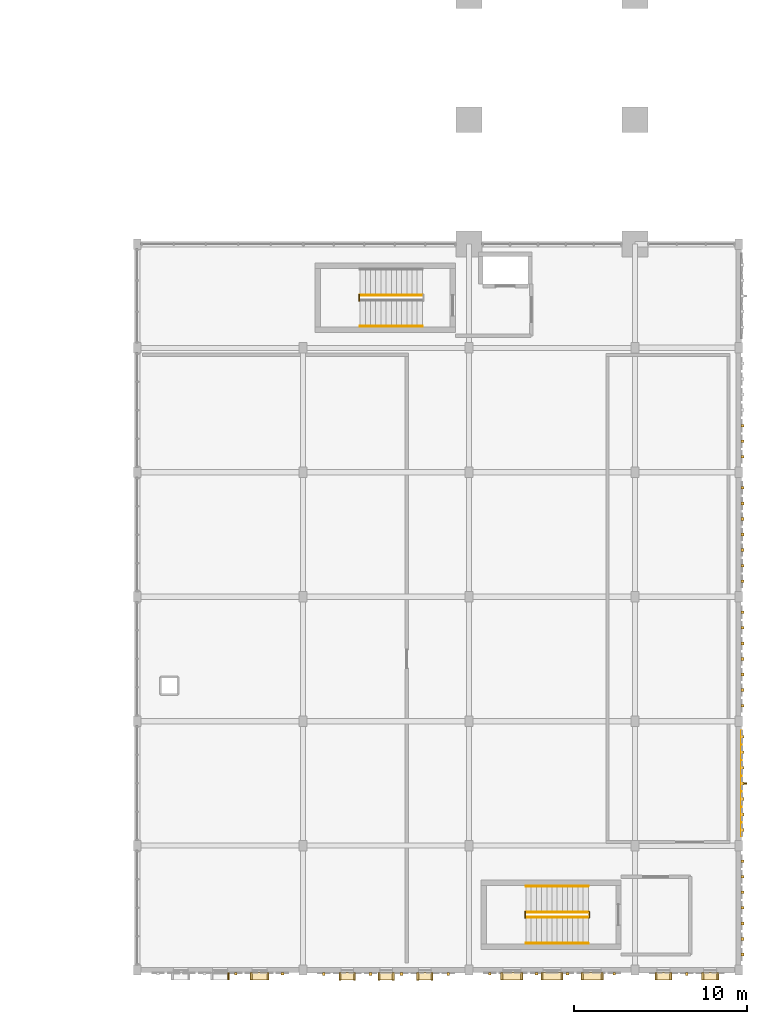
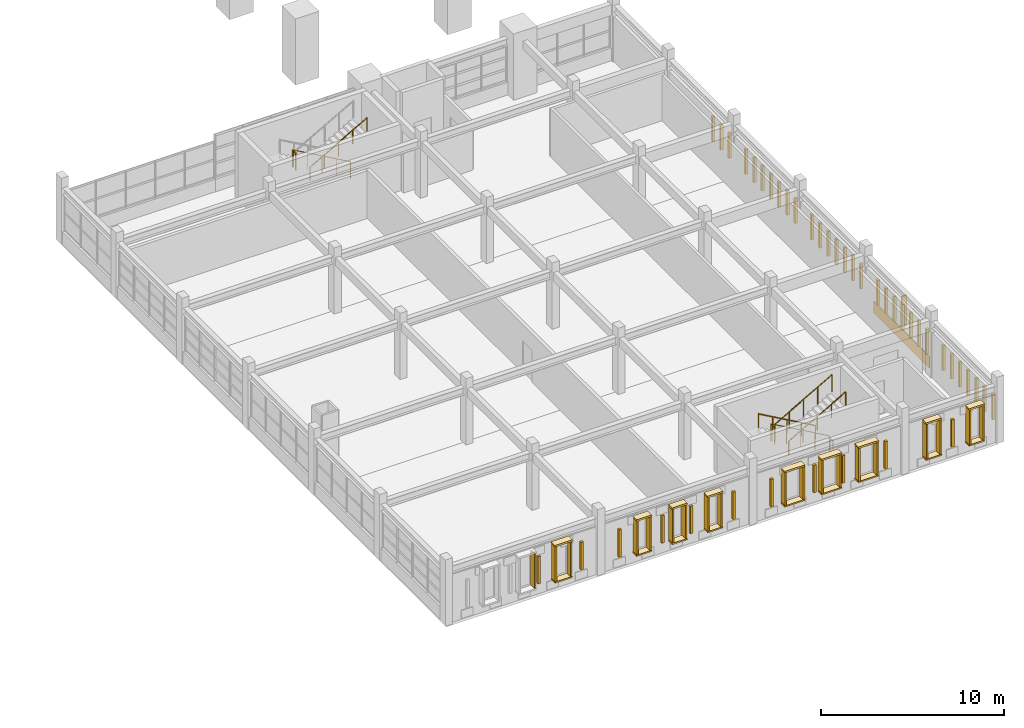
# One storey, part 61 of 69: 80 coverings, 9 railings, 1 shading device.
"""IFC4 building model written with IfcOpenShell, lengths in metres."""

from ifc_helpers import new_model, si_unit, direction, frame, origin, origin_2d, place, context, subcontext, project, spatial, rectangle, circle, extrude, material, layer, layer_set, type_object, element, save


model = new_model("IFC4")

# Units and contexts
model_context = context("Model", 3, precision=1e-05, world=origin(), true_north=direction((0.0, 1.0)))
body_context = subcontext(model_context, "Body", "Model", "MODEL_VIEW")
ifc_project = project(units=[si_unit("LENGTHUNIT", "METRE"), si_unit("AREAUNIT", "SQUARE_METRE"), si_unit("VOLUMEUNIT", "CUBIC_METRE"), si_unit("PLANEANGLEUNIT", "RADIAN"), si_unit("MASSUNIT", "GRAM", prefix="KILO")], contexts=[model_context])

# Site, building, storey
site_placement = place(None, origin())
site = spatial("IfcSite", under=ifc_project, at=site_placement, CompositionType="ELEMENT")
building_placement = place(site_placement, origin())
building = spatial("IfcBuilding", under=site, at=building_placement, Name="Nzembalo Square Collegiate School", CompositionType="ELEMENT")
storey_placement = place(building_placement, frame((0.0, 0.0, 5.10009765625)))
storey = spatial("IfcBuildingStorey", under=building, at=storey_placement, Name="L01", CompositionType="ELEMENT", Elevation=5.10009765625)

# Coverings
ifc_material_1 = material(Name="Glazed cobalt ceramic patterned tile")
ifc_layer_1 = layer(ifc_material_1, 0.074951171875, Name="Glazed cobalt ceramic patterned tile")
ifc_layer_set_1 = layer_set([ifc_layer_1], Name="Glazed cobalt ceramic patterned tile")
covering_type_1 = type_object("IfcCoveringType", Name="CL01", PredefinedType="CLADDING", material=ifc_layer_set_1)
covering_1_placement = place(storey_placement, frame((165.77490234375, 19.199951171875, 0.02001953125), z_axis=(0.0, 0.0, 1.0), x_axis=(1.0, 0.0, 0.0)))
element("IfcCovering", 1, at=covering_1_placement, inside=storey, type_object=covering_type_1, Name="Faience spandrel cladding CL01-0100", PredefinedType="CLADDING", context=body_context, shape_type="SweptSolid", body=[
    extrude(rectangle(XDim=0.034912109375, YDim=6.095947265625, at=origin_2d()), origin(), (0.0, 0.0, 1.0), 0.800048828125),
])
ifc_material_2 = material(Name="Glazed ochre ceramic lancet rib")
ifc_layer_2 = layer(ifc_material_2, 0.159912109375, Name="Glazed ochre ceramic lancet rib")
ifc_layer_set_2 = layer_set([ifc_layer_2], Name="Glazed ochre ceramic lancet rib")
covering_type_2 = type_object("IfcCoveringType", Name="CL02", PredefinedType="CLADDING", material=ifc_layer_set_2)
for number, where, z_axis, x_axis, name in (
    (2, (165.820068359375, 9.300048828125, 0.759765625), (0.0, 0.0, 1.0), (1.0, 0.0, 0.0), "Gothic ceramic rib CL02-Y0099-0"),
    (3, (165.820068359375, 10.199951171875, 0.759765625), (0.0, 0.0, 1.0), (1.0, 0.0, 0.0), "Gothic ceramic rib CL02-Y0099-1"),
    (4, (165.820068359375, 11.10009765625, 0.759765625), (0.0, 0.0, 1.0), (1.0, 0.0, 0.0), "Gothic ceramic rib CL02-Y0099-2"),
    (5, (165.820068359375, 12.0, 0.759765625), (0.0, 0.0, 1.0), (1.0, 0.0, 0.0), "Gothic ceramic rib CL02-Y0099-3"),
    (6, (165.820068359375, 12.89990234375, 0.759765625), (0.0, 0.0, 1.0), (1.0, 0.0, 0.0), "Gothic ceramic rib CL02-Y0099-4"),
    (7, (165.820068359375, 13.800048828125, 0.759765625), (0.0, 0.0, 1.0), (1.0, 0.0, 0.0), "Gothic ceramic rib CL02-Y0099-5"),
    (8, (165.820068359375, 14.699951171875, 0.759765625), (0.0, 0.0, 1.0), (1.0, 0.0, 0.0), "Gothic ceramic rib CL02-Y0099-6"),
    (9, (165.830078125, 16.5, 0.759765625), (0.0, 0.0, 1.0), (1.0, 0.0, 0.0), "Gothic ceramic rib CL02-Y0100-0"),
    (10, (165.830078125, 17.39990234375, 0.759765625), (0.0, 0.0, 1.0), (1.0, 0.0, 0.0), "Gothic ceramic rib CL02-Y0100-1"),
    (11, (165.830078125, 18.300048828125, 0.759765625), (0.0, 0.0, 1.0), (1.0, 0.0, 0.0), "Gothic ceramic rib CL02-Y0100-2"),
    (12, (165.830078125, 19.199951171875, 0.759765625), (0.0, 0.0, 1.0), (1.0, 0.0, 0.0), "Gothic ceramic rib CL02-Y0100-3"),
    (13, (165.830078125, 20.10009765625, 0.759765625), (0.0, 0.0, 1.0), (1.0, 0.0, 0.0), "Gothic ceramic rib CL02-Y0100-4"),
    (14, (165.830078125, 21.0, 0.759765625), (0.0, 0.0, 1.0), (1.0, 0.0, 0.0), "Gothic ceramic rib CL02-Y0100-5"),
    (15, (165.830078125, 21.89990234375, 0.759765625), (0.0, 0.0, 1.0), (1.0, 0.0, 0.0), "Gothic ceramic rib CL02-Y0100-6"),
    (16, (165.820068359375, 23.699951171875, 0.759765625), (0.0, 0.0, 1.0), (1.0, 0.0, 0.0), "Gothic ceramic rib CL02-Y0101-0"),
    (17, (165.820068359375, 24.60009765625, 0.759765625), (0.0, 0.0, 1.0), (1.0, 0.0, 0.0), "Gothic ceramic rib CL02-Y0101-1"),
    (18, (165.820068359375, 25.5, 0.759765625), (0.0, 0.0, 1.0), (1.0, 0.0, 0.0), "Gothic ceramic rib CL02-Y0101-2"),
    (19, (165.820068359375, 26.39990234375, 0.759765625), (0.0, 0.0, 1.0), (1.0, 0.0, 0.0), "Gothic ceramic rib CL02-Y0101-3"),
    (20, (165.820068359375, 27.300048828125, 0.759765625), (0.0, 0.0, 1.0), (1.0, 0.0, 0.0), "Gothic ceramic rib CL02-Y0101-4"),
    (21, (165.820068359375, 28.199951171875, 0.759765625), (0.0, 0.0, 1.0), (1.0, 0.0, 0.0), "Gothic ceramic rib CL02-Y0101-5"),
    (22, (165.820068359375, 29.10009765625, 0.759765625), (0.0, 0.0, 1.0), (1.0, 0.0, 0.0), "Gothic ceramic rib CL02-Y0101-6"),
    (23, (165.830078125, 30.89990234375, 0.759765625), (0.0, 0.0, 1.0), (1.0, 0.0, 0.0), "Gothic ceramic rib CL02-Y0102-0"),
    (24, (165.830078125, 31.800048828125, 0.759765625), (0.0, 0.0, 1.0), (1.0, 0.0, 0.0), "Gothic ceramic rib CL02-Y0102-1"),
    (25, (165.830078125, 32.699951171875, 0.759765625), (0.0, 0.0, 1.0), (1.0, 0.0, 0.0), "Gothic ceramic rib CL02-Y0102-2"),
    (26, (165.830078125, 33.60009765625, 0.759765625), (0.0, 0.0, 1.0), (1.0, 0.0, 0.0), "Gothic ceramic rib CL02-Y0102-3"),
    (27, (165.830078125, 34.5, 0.759765625), (0.0, 0.0, 1.0), (1.0, 0.0, 0.0), "Gothic ceramic rib CL02-Y0102-4"),
    (28, (165.830078125, 35.39990234375, 0.759765625), (0.0, 0.0, 1.0), (1.0, 0.0, 0.0), "Gothic ceramic rib CL02-Y0102-5"),
    (29, (165.830078125, 36.300048828125, 0.759765625), (0.0, 0.0, 1.0), (1.0, 0.0, 0.0), "Gothic ceramic rib CL02-Y0102-6"),
    (30, (165.820068359375, 38.10009765625, 0.759765625), (0.0, 0.0, 1.0), (1.0, 0.0, 0.0), "Gothic ceramic rib CL02-Y0103-0"),
    (31, (165.820068359375, 39.0, 0.759765625), (0.0, 0.0, 1.0), (1.0, 0.0, 0.0), "Gothic ceramic rib CL02-Y0103-1"),
    (32, (165.820068359375, 39.89990234375, 0.759765625), (0.0, 0.0, 1.0), (1.0, 0.0, 0.0), "Gothic ceramic rib CL02-Y0103-2"),
):
    element("IfcCovering", number, at=place(storey_placement, frame(where, z_axis=z_axis, x_axis=x_axis)), inside=storey, type_object=covering_type_2, Name=name, PredefinedType="CLADDING", context=body_context, shape_type="SweptSolid", body=[
        extrude(rectangle(XDim=0.159912109375, YDim=0.159912109375, at=origin_2d()), origin(), (0.0, 0.0, 1.0), 1.674072265625),
    ])
for number, where, z_axis, x_axis, name in (
    (33, (136.5, 8.179931640625, 0.760009765625), (0.0, 0.0, 1.0), (1.0, 0.0, 0.0), "Gothic ceramic rib CL02-X0105-5"),
    (34, (139.199951171875, 8.179931640625, 0.760009765625), (0.0, 0.0, 1.0), (1.0, 0.0, 0.0), "Gothic ceramic rib CL02-X0105-8"),
    (35, (141.60009765625, 8.169921875, 0.760009765625), (0.0, 0.0, 1.0), (1.0, 0.0, 0.0), "Gothic ceramic rib CL02-X0106-0"),
    (36, (144.300048828125, 8.169921875, 0.760009765625), (0.0, 0.0, 1.0), (1.0, 0.0, 0.0), "Gothic ceramic rib CL02-X0106-3"),
    (37, (146.10009765625, 8.169921875, 0.760009765625), (0.0, 0.0, 1.0), (1.0, 0.0, 0.0), "Gothic ceramic rib CL02-X0106-5"),
    (38, (148.800048828125, 8.169921875, 0.760009765625), (0.0, 0.0, 1.0), (1.0, 0.0, 0.0), "Gothic ceramic rib CL02-X0106-8"),
    (39, (151.199951171875, 8.179931640625, 0.760009765625), (0.0, 0.0, 1.0), (1.0, 0.0, 0.0), "Gothic ceramic rib CL02-X0107-0"),
    (40, (153.89990234375, 8.179931640625, 0.760009765625), (0.0, 0.0, 1.0), (1.0, 0.0, 0.0), "Gothic ceramic rib CL02-X0107-3"),
    (41, (155.699951171875, 8.179931640625, 0.760009765625), (0.0, 0.0, 1.0), (1.0, 0.0, 0.0), "Gothic ceramic rib CL02-X0107-5"),
    (42, (158.39990234375, 8.179931640625, 0.760009765625), (0.0, 0.0, 1.0), (1.0, 0.0, 0.0), "Gothic ceramic rib CL02-X0107-8"),
    (43, (162.60009765625, 8.169921875, 0.760009765625), (0.0, 0.0, 1.0), (1.0, 0.0, 0.0), "Gothic ceramic rib CL02-X0108-2"),
):
    element("IfcCovering", number, at=place(storey_placement, frame(where, z_axis=z_axis, x_axis=x_axis)), inside=storey, type_object=covering_type_2, Name=name, PredefinedType="CLADDING", context=body_context, shape_type="SweptSolid", body=[
        extrude(rectangle(XDim=0.159912109375, YDim=0.159912109375, at=origin_2d()), origin(), (0.0, 0.0, 1.0), 1.833984375),
    ])
ifc_material_3 = material(Name="Glazed celadon ceramic window frame")
ifc_layer_3 = layer(ifc_material_3, 0.419921875, Name="Glazed celadon ceramic window frame")
ifc_layer_set_3 = layer_set([ifc_layer_3], Name="Glazed celadon ceramic window frame")
covering_type_3 = type_object("IfcCoveringType", Name="WF01", PredefinedType="CLADDING", material=ifc_layer_set_3)
covering_2_placement = place(storey_placement, frame((136.0849609375, 8.044921875, 0.75), z_axis=(0.0, 0.0, 1.0), x_axis=(1.0, 0.0, 0.0)))
element("IfcCovering", 44, at=covering_2_placement, inside=storey, type_object=covering_type_3, Name="Deep lancet window jamb WF01-0209R", PredefinedType="CLADDING", context=body_context, shape_type="SweptSolid", body=[
    extrude(rectangle(XDim=0.10009765625, YDim=0.419921875, at=origin_2d()), origin(), (0.0, 0.0, 1.0), 2.320068359375),
])
covering_3_placement = place(storey_placement, frame((137.881591796875, 8.044921875, 3.07470703125), z_axis=(0.0, 0.0, 1.0), x_axis=(1.0, 0.0, 0.0)))
element("IfcCovering", 45, at=covering_3_placement, inside=storey, type_object=covering_type_3, Name="Deep lancet window hood WF01-0210", PredefinedType="CLADDING", context=body_context, shape_type="SweptSolid", body=[
    extrude(rectangle(XDim=1.10009765625, YDim=0.419921875, at=origin_2d()), origin(), (0.0, 0.0, 1.0), 0.110107421875),
])
covering_4_placement = place(storey_placement, frame((137.881591796875, 8.044921875, 0.65478515625), z_axis=(0.0, 0.0, 1.0), x_axis=(1.0, 0.0, 0.0)))
element("IfcCovering", 46, at=covering_4_placement, inside=storey, type_object=covering_type_3, Name="Deep lancet window sill WF01-0210", PredefinedType="CLADDING", context=body_context, shape_type="SweptSolid", body=[
    extrude(rectangle(XDim=1.10009765625, YDim=0.419921875, at=origin_2d()), origin(), (0.0, 0.0, 1.0), 0.090087890625),
])
for number, where, z_axis, x_axis, name in (
    (47, (137.396484375, 8.044921875, 0.75), (0.0, 0.0, 1.0), (1.0, 0.0, 0.0), "Deep lancet window jamb WF01-0210L"),
    (48, (138.366455078125, 8.044921875, 0.75), (0.0, 0.0, 1.0), (1.0, 0.0, 0.0), "Deep lancet window jamb WF01-0210R"),
):
    element("IfcCovering", number, at=place(storey_placement, frame(where, z_axis=z_axis, x_axis=x_axis)), inside=storey, type_object=covering_type_3, Name=name, PredefinedType="CLADDING", context=body_context, shape_type="SweptSolid", body=[
        extrude(rectangle(XDim=0.10009765625, YDim=0.419921875, at=origin_2d()), origin(), (0.0, 0.0, 1.0), 2.320068359375),
    ])
covering_5_placement = place(storey_placement, frame((142.95361328125, 8.034912109375, 2.99462890625), z_axis=(0.0, 0.0, 1.0), x_axis=(1.0, 0.0, 0.0)))
element("IfcCovering", 49, at=covering_5_placement, inside=storey, type_object=covering_type_3, Name="Deep lancet window hood WF01-0214", PredefinedType="CLADDING", context=body_context, shape_type="SweptSolid", body=[
    extrude(rectangle(XDim=0.9599609375, YDim=0.419921875, at=origin_2d()), origin(), (0.0, 0.0, 1.0), 0.110107421875),
])
covering_6_placement = place(storey_placement, frame((142.95361328125, 8.034912109375, 0.65478515625), z_axis=(0.0, 0.0, 1.0), x_axis=(1.0, 0.0, 0.0)))
element("IfcCovering", 50, at=covering_6_placement, inside=storey, type_object=covering_type_3, Name="Deep lancet window sill WF01-0214", PredefinedType="CLADDING", context=body_context, shape_type="SweptSolid", body=[
    extrude(rectangle(XDim=0.9599609375, YDim=0.419921875, at=origin_2d()), origin(), (0.0, 0.0, 1.0), 0.090087890625),
])
for number, where, z_axis, x_axis, name in (
    (51, (142.53857421875, 8.034912109375, 0.75), (0.0, 0.0, 1.0), (1.0, 0.0, 0.0), "Deep lancet window jamb WF01-0214L"),
    (52, (143.368408203125, 8.034912109375, 0.75), (0.0, 0.0, 1.0), (1.0, 0.0, 0.0), "Deep lancet window jamb WF01-0214R"),
):
    element("IfcCovering", number, at=place(storey_placement, frame(where, z_axis=z_axis, x_axis=x_axis)), inside=storey, type_object=covering_type_3, Name=name, PredefinedType="CLADDING", context=body_context, shape_type="SweptSolid", body=[
        extrude(rectangle(XDim=0.10009765625, YDim=0.419921875, at=origin_2d()), origin(), (0.0, 0.0, 1.0), 2.239990234375),
    ])
covering_7_placement = place(storey_placement, frame((145.199951171875, 8.034912109375, 2.99462890625), z_axis=(0.0, 0.0, 1.0), x_axis=(1.0, 0.0, 0.0)))
element("IfcCovering", 53, at=covering_7_placement, inside=storey, type_object=covering_type_3, Name="Deep lancet window hood WF01-0215", PredefinedType="CLADDING", context=body_context, shape_type="SweptSolid", body=[
    extrude(rectangle(XDim=0.9599609375, YDim=0.419921875, at=origin_2d()), origin(), (0.0, 0.0, 1.0), 0.110107421875),
])
covering_8_placement = place(storey_placement, frame((145.199951171875, 8.034912109375, 0.65478515625), z_axis=(0.0, 0.0, 1.0), x_axis=(1.0, 0.0, 0.0)))
element("IfcCovering", 54, at=covering_8_placement, inside=storey, type_object=covering_type_3, Name="Deep lancet window sill WF01-0215", PredefinedType="CLADDING", context=body_context, shape_type="SweptSolid", body=[
    extrude(rectangle(XDim=0.9599609375, YDim=0.419921875, at=origin_2d()), origin(), (0.0, 0.0, 1.0), 0.090087890625),
])
for number, where, z_axis, x_axis, name in (
    (55, (144.784912109375, 8.034912109375, 0.75), (0.0, 0.0, 1.0), (1.0, 0.0, 0.0), "Deep lancet window jamb WF01-0215L"),
    (56, (145.614990234375, 8.034912109375, 0.75), (0.0, 0.0, 1.0), (1.0, 0.0, 0.0), "Deep lancet window jamb WF01-0215R"),
):
    element("IfcCovering", number, at=place(storey_placement, frame(where, z_axis=z_axis, x_axis=x_axis)), inside=storey, type_object=covering_type_3, Name=name, PredefinedType="CLADDING", context=body_context, shape_type="SweptSolid", body=[
        extrude(rectangle(XDim=0.10009765625, YDim=0.419921875, at=origin_2d()), origin(), (0.0, 0.0, 1.0), 2.239990234375),
    ])
covering_9_placement = place(storey_placement, frame((147.446533203125, 8.034912109375, 2.99462890625), z_axis=(0.0, 0.0, 1.0), x_axis=(1.0, 0.0, 0.0)))
element("IfcCovering", 57, at=covering_9_placement, inside=storey, type_object=covering_type_3, Name="Deep lancet window hood WF01-0216", PredefinedType="CLADDING", context=body_context, shape_type="SweptSolid", body=[
    extrude(rectangle(XDim=0.9599609375, YDim=0.419921875, at=origin_2d()), origin(), (0.0, 0.0, 1.0), 0.110107421875),
])
covering_10_placement = place(storey_placement, frame((147.446533203125, 8.034912109375, 0.65478515625), z_axis=(0.0, 0.0, 1.0), x_axis=(1.0, 0.0, 0.0)))
element("IfcCovering", 58, at=covering_10_placement, inside=storey, type_object=covering_type_3, Name="Deep lancet window sill WF01-0216", PredefinedType="CLADDING", context=body_context, shape_type="SweptSolid", body=[
    extrude(rectangle(XDim=0.9599609375, YDim=0.419921875, at=origin_2d()), origin(), (0.0, 0.0, 1.0), 0.090087890625),
])
for number, where, z_axis, x_axis, name in (
    (59, (147.031494140625, 8.034912109375, 0.75), (0.0, 0.0, 1.0), (1.0, 0.0, 0.0), "Deep lancet window jamb WF01-0216L"),
    (60, (147.861572265625, 8.034912109375, 0.75), (0.0, 0.0, 1.0), (1.0, 0.0, 0.0), "Deep lancet window jamb WF01-0216R"),
):
    element("IfcCovering", number, at=place(storey_placement, frame(where, z_axis=z_axis, x_axis=x_axis)), inside=storey, type_object=covering_type_3, Name=name, PredefinedType="CLADDING", context=body_context, shape_type="SweptSolid", body=[
        extrude(rectangle(XDim=0.10009765625, YDim=0.419921875, at=origin_2d()), origin(), (0.0, 0.0, 1.0), 2.239990234375),
    ])
covering_11_placement = place(storey_placement, frame((152.473388671875, 8.044921875, 2.93505859375), z_axis=(0.0, 0.0, 1.0), x_axis=(1.0, 0.0, 0.0)))
element("IfcCovering", 61, at=covering_11_placement, inside=storey, type_object=covering_type_3, Name="Deep lancet window hood WF01-0217", PredefinedType="CLADDING", context=body_context, shape_type="SweptSolid", body=[
    extrude(rectangle(XDim=1.280029296875, YDim=0.419921875, at=origin_2d()), origin(), (0.0, 0.0, 1.0), 0.110107421875),
])
covering_12_placement = place(storey_placement, frame((152.473388671875, 8.044921875, 0.65478515625), z_axis=(0.0, 0.0, 1.0), x_axis=(1.0, 0.0, 0.0)))
element("IfcCovering", 62, at=covering_12_placement, inside=storey, type_object=covering_type_3, Name="Deep lancet window sill WF01-0217", PredefinedType="CLADDING", context=body_context, shape_type="SweptSolid", body=[
    extrude(rectangle(XDim=1.280029296875, YDim=0.419921875, at=origin_2d()), origin(), (0.0, 0.0, 1.0), 0.090087890625),
])
for number, where, z_axis, x_axis, name in (
    (63, (151.8984375, 8.044921875, 0.75), (0.0, 0.0, 1.0), (1.0, 0.0, 0.0), "Deep lancet window jamb WF01-0217L"),
    (64, (153.048583984375, 8.044921875, 0.75), (0.0, 0.0, 1.0), (1.0, 0.0, 0.0), "Deep lancet window jamb WF01-0217R"),
):
    element("IfcCovering", number, at=place(storey_placement, frame(where, z_axis=z_axis, x_axis=x_axis)), inside=storey, type_object=covering_type_3, Name=name, PredefinedType="CLADDING", context=body_context, shape_type="SweptSolid", body=[
        extrude(rectangle(XDim=0.10009765625, YDim=0.419921875, at=origin_2d()), origin(), (0.0, 0.0, 1.0), 2.179931640625),
    ])
covering_13_placement = place(storey_placement, frame((154.800048828125, 8.044921875, 2.93505859375), z_axis=(0.0, 0.0, 1.0), x_axis=(1.0, 0.0, 0.0)))
element("IfcCovering", 65, at=covering_13_placement, inside=storey, type_object=covering_type_3, Name="Deep lancet window hood WF01-0218", PredefinedType="CLADDING", context=body_context, shape_type="SweptSolid", body=[
    extrude(rectangle(XDim=1.280029296875, YDim=0.419921875, at=origin_2d()), origin(), (0.0, 0.0, 1.0), 0.110107421875),
])
covering_14_placement = place(storey_placement, frame((154.800048828125, 8.044921875, 0.65478515625), z_axis=(0.0, 0.0, 1.0), x_axis=(1.0, 0.0, 0.0)))
element("IfcCovering", 66, at=covering_14_placement, inside=storey, type_object=covering_type_3, Name="Deep lancet window sill WF01-0218", PredefinedType="CLADDING", context=body_context, shape_type="SweptSolid", body=[
    extrude(rectangle(XDim=1.280029296875, YDim=0.419921875, at=origin_2d()), origin(), (0.0, 0.0, 1.0), 0.090087890625),
])
for number, where, z_axis, x_axis, name in (
    (67, (154.22509765625, 8.044921875, 0.75), (0.0, 0.0, 1.0), (1.0, 0.0, 0.0), "Deep lancet window jamb WF01-0218L"),
    (68, (155.375, 8.044921875, 0.75), (0.0, 0.0, 1.0), (1.0, 0.0, 0.0), "Deep lancet window jamb WF01-0218R"),
):
    element("IfcCovering", number, at=place(storey_placement, frame(where, z_axis=z_axis, x_axis=x_axis)), inside=storey, type_object=covering_type_3, Name=name, PredefinedType="CLADDING", context=body_context, shape_type="SweptSolid", body=[
        extrude(rectangle(XDim=0.10009765625, YDim=0.419921875, at=origin_2d()), origin(), (0.0, 0.0, 1.0), 2.179931640625),
    ])
covering_15_placement = place(storey_placement, frame((157.12646484375, 8.044921875, 2.93505859375), z_axis=(0.0, 0.0, 1.0), x_axis=(1.0, 0.0, 0.0)))
element("IfcCovering", 69, at=covering_15_placement, inside=storey, type_object=covering_type_3, Name="Deep lancet window hood WF01-0219", PredefinedType="CLADDING", context=body_context, shape_type="SweptSolid", body=[
    extrude(rectangle(XDim=1.280029296875, YDim=0.419921875, at=origin_2d()), origin(), (0.0, 0.0, 1.0), 0.110107421875),
])
covering_16_placement = place(storey_placement, frame((157.12646484375, 8.044921875, 0.65478515625), z_axis=(0.0, 0.0, 1.0), x_axis=(1.0, 0.0, 0.0)))
element("IfcCovering", 70, at=covering_16_placement, inside=storey, type_object=covering_type_3, Name="Deep lancet window sill WF01-0219", PredefinedType="CLADDING", context=body_context, shape_type="SweptSolid", body=[
    extrude(rectangle(XDim=1.280029296875, YDim=0.419921875, at=origin_2d()), origin(), (0.0, 0.0, 1.0), 0.090087890625),
])
for number, where, z_axis, x_axis, name in (
    (71, (156.551513671875, 8.044921875, 0.75), (0.0, 0.0, 1.0), (1.0, 0.0, 0.0), "Deep lancet window jamb WF01-0219L"),
    (72, (157.701416015625, 8.044921875, 0.75), (0.0, 0.0, 1.0), (1.0, 0.0, 0.0), "Deep lancet window jamb WF01-0219R"),
):
    element("IfcCovering", number, at=place(storey_placement, frame(where, z_axis=z_axis, x_axis=x_axis)), inside=storey, type_object=covering_type_3, Name=name, PredefinedType="CLADDING", context=body_context, shape_type="SweptSolid", body=[
        extrude(rectangle(XDim=0.10009765625, YDim=0.419921875, at=origin_2d()), origin(), (0.0, 0.0, 1.0), 2.179931640625),
    ])
covering_17_placement = place(storey_placement, frame((161.24609375, 8.034912109375, 3.0546875), z_axis=(0.0, 0.0, 1.0), x_axis=(1.0, 0.0, 0.0)))
element("IfcCovering", 73, at=covering_17_placement, inside=storey, type_object=covering_type_3, Name="Deep lancet window hood WF01-0222", PredefinedType="CLADDING", context=body_context, shape_type="SweptSolid", body=[
    extrude(rectangle(XDim=0.989990234375, YDim=0.419921875, at=origin_2d()), origin(), (0.0, 0.0, 1.0), 0.110107421875),
])
covering_18_placement = place(storey_placement, frame((161.24609375, 8.034912109375, 0.65478515625), z_axis=(0.0, 0.0, 1.0), x_axis=(1.0, 0.0, 0.0)))
element("IfcCovering", 74, at=covering_18_placement, inside=storey, type_object=covering_type_3, Name="Deep lancet window sill WF01-0222", PredefinedType="CLADDING", context=body_context, shape_type="SweptSolid", body=[
    extrude(rectangle(XDim=0.989990234375, YDim=0.419921875, at=origin_2d()), origin(), (0.0, 0.0, 1.0), 0.090087890625),
])
for number, where, z_axis, x_axis, name in (
    (75, (160.81591796875, 8.034912109375, 0.75), (0.0, 0.0, 1.0), (1.0, 0.0, 0.0), "Deep lancet window jamb WF01-0222L"),
    (76, (161.676025390625, 8.034912109375, 0.75), (0.0, 0.0, 1.0), (1.0, 0.0, 0.0), "Deep lancet window jamb WF01-0222R"),
):
    element("IfcCovering", number, at=place(storey_placement, frame(where, z_axis=z_axis, x_axis=x_axis)), inside=storey, type_object=covering_type_3, Name=name, PredefinedType="CLADDING", context=body_context, shape_type="SweptSolid", body=[
        extrude(rectangle(XDim=0.10009765625, YDim=0.419921875, at=origin_2d()), origin(), (0.0, 0.0, 1.0), 2.300048828125),
    ])
covering_19_placement = place(storey_placement, frame((163.9541015625, 8.034912109375, 3.0546875), z_axis=(0.0, 0.0, 1.0), x_axis=(1.0, 0.0, 0.0)))
element("IfcCovering", 77, at=covering_19_placement, inside=storey, type_object=covering_type_3, Name="Deep lancet window hood WF01-0223", PredefinedType="CLADDING", context=body_context, shape_type="SweptSolid", body=[
    extrude(rectangle(XDim=0.989990234375, YDim=0.419921875, at=origin_2d()), origin(), (0.0, 0.0, 1.0), 0.110107421875),
])
covering_20_placement = place(storey_placement, frame((163.9541015625, 8.034912109375, 0.65478515625), z_axis=(0.0, 0.0, 1.0), x_axis=(1.0, 0.0, 0.0)))
element("IfcCovering", 78, at=covering_20_placement, inside=storey, type_object=covering_type_3, Name="Deep lancet window sill WF01-0223", PredefinedType="CLADDING", context=body_context, shape_type="SweptSolid", body=[
    extrude(rectangle(XDim=0.989990234375, YDim=0.419921875, at=origin_2d()), origin(), (0.0, 0.0, 1.0), 0.090087890625),
])
for number, where, z_axis, x_axis, name in (
    (79, (163.52392578125, 8.034912109375, 0.75), (0.0, 0.0, 1.0), (1.0, 0.0, 0.0), "Deep lancet window jamb WF01-0223L"),
    (80, (164.384033203125, 8.034912109375, 0.75), (0.0, 0.0, 1.0), (1.0, 0.0, 0.0), "Deep lancet window jamb WF01-0223R"),
):
    element("IfcCovering", number, at=place(storey_placement, frame(where, z_axis=z_axis, x_axis=x_axis)), inside=storey, type_object=covering_type_3, Name=name, PredefinedType="CLADDING", context=body_context, shape_type="SweptSolid", body=[
        extrude(rectangle(XDim=0.10009765625, YDim=0.419921875, at=origin_2d()), origin(), (0.0, 0.0, 1.0), 2.300048828125),
    ])

# Railings
ifc_material_4 = material(Name="Steel S355", Category="steel")
railing_type_1 = type_object("IfcRailingType", Name="GR01", PredefinedType="GUARDRAIL", material=ifc_material_4)
railing_1_placement = place(storey_placement, frame((147.300048828125, 47.449951171875, 0.159912109375)))
element("IfcRailing", 81, at=railing_1_placement, inside=storey, type_object=railing_type_1, Name="Stair guard GR-20-1", PredefinedType="GUARDRAIL", context=body_context, shape_type="SweptSolid", body=[
    extrude(circle(Radius=0.02392578125, at=origin_2d()), frame((0.0, 0.0, 1.1259765625), z_axis=(-0.870023872995, 0.0, 0.493009594652), x_axis=(0.0, -1.0, 0.0)), (0.0, 0.0, 1.0), 4.137939453125),
    extrude(circle(Radius=0.02099609375, at=origin_2d()), origin(), (0.0, 0.0, 1.0), 1.101806640625),
    extrude(circle(Radius=0.02099609375, at=origin_2d()), frame((-0.89990234375, 0.0, 0.510009765625)), (0.0, 0.0, 1.0), 1.101806640625),
    extrude(circle(Radius=0.02099609375, at=origin_2d()), frame((-1.800048828125, 0.0, 1.02001953125)), (0.0, 0.0, 1.0), 1.101806640625),
    extrude(circle(Radius=0.02099609375, at=origin_2d()), frame((-2.7001953125, 0.0, 1.530029296875)), (0.0, 0.0, 1.0), 1.101806640625),
    extrude(circle(Radius=0.02099609375, at=origin_2d()), frame((-3.60009765625, 0.0, 2.0400390625)), (0.0, 0.0, 1.0), 1.101806640625),
])
railing_2_placement = place(storey_placement, frame((143.64990234375, 47.1201171875, 2.204833984375)))
element("IfcRailing", 82, at=railing_2_placement, inside=storey, type_object=railing_type_1, Name="Stair guard GR-20-2", PredefinedType="GUARDRAIL", context=body_context, shape_type="SweptSolid", body=[
    extrude(circle(Radius=0.02392578125, at=origin_2d()), frame((0.0, 0.0, 1.1259765625), z_axis=(0.0, 1.0, 0.0), x_axis=(-1.0, 0.0, 0.0)), (0.0, 0.0, 1.0), 0.35986328125),
    extrude(circle(Radius=0.02099609375, at=origin_2d()), origin(), (0.0, 0.0, 1.0), 1.101806640625),
    extrude(circle(Radius=0.02099609375, at=origin_2d()), frame((0.0, 0.35986328125, 0.0)), (0.0, 0.0, 1.0), 1.101806640625),
])
railing_3_placement = place(storey_placement, frame((156.89990234375, 11.75, 0.159912109375)))
element("IfcRailing", 83, at=railing_3_placement, inside=storey, type_object=railing_type_1, Name="Stair guard GR-25-1", PredefinedType="GUARDRAIL", context=body_context, shape_type="SweptSolid", body=[
    extrude(circle(Radius=0.02392578125, at=origin_2d()), frame((0.0, 0.0, 1.1259765625), z_axis=(-0.870009531279, 0.0, 0.493034902907), x_axis=(0.0, -1.0, 0.0)), (0.0, 0.0, 1.0), 4.1376953125),
    extrude(circle(Radius=0.02099609375, at=origin_2d()), origin(), (0.0, 0.0, 1.0), 1.101806640625),
    extrude(circle(Radius=0.02099609375, at=origin_2d()), frame((-0.89990234375, 0.0, 0.510009765625)), (0.0, 0.0, 1.0), 1.101806640625),
    extrude(circle(Radius=0.02099609375, at=origin_2d()), frame((-1.7998046875, 0.0, 1.02001953125)), (0.0, 0.0, 1.0), 1.101806640625),
    extrude(circle(Radius=0.02099609375, at=origin_2d()), frame((-2.699951171875, 0.0, 1.530029296875)), (0.0, 0.0, 1.0), 1.101806640625),
    extrude(circle(Radius=0.02099609375, at=origin_2d()), frame((-3.599853515625, 0.0, 2.0400390625)), (0.0, 0.0, 1.0), 1.101806640625),
])
railing_4_placement = place(storey_placement, frame((153.25, 11.419921875, 2.204833984375)))
element("IfcRailing", 84, at=railing_4_placement, inside=storey, type_object=railing_type_1, Name="Stair guard GR-25-2", PredefinedType="GUARDRAIL", context=body_context, shape_type="SweptSolid", body=[
    extrude(circle(Radius=0.02392578125, at=origin_2d()), frame((0.0, 0.0, 1.1259765625), z_axis=(0.0, 1.0, 0.0), x_axis=(-1.0, 0.0, 0.0)), (0.0, 0.0, 1.0), 0.360107421875),
    extrude(circle(Radius=0.02099609375, at=origin_2d()), origin(), (0.0, 0.0, 1.0), 1.101806640625),
    extrude(circle(Radius=0.02099609375, at=origin_2d()), frame((0.0, 0.360107421875, 0.0)), (0.0, 0.0, 1.0), 1.101806640625),
])
railing_5_placement = place(storey_placement, frame((153.300048828125, 11.449951171875, 2.369873046875)))
element("IfcRailing", 85, at=railing_5_placement, inside=storey, type_object=railing_type_1, Name="Stair guard GR-25-3", PredefinedType="GUARDRAIL", context=body_context, shape_type="SweptSolid", body=[
    extrude(circle(Radius=0.02392578125, at=origin_2d()), frame((0.0, 0.0, 1.1259765625), z_axis=(0.870009531279, 0.0, 0.493034902907), x_axis=(0.0, 1.0, 0.0)), (0.0, 0.0, 1.0), 4.1376953125),
    extrude(circle(Radius=0.02099609375, at=origin_2d()), origin(), (0.0, 0.0, 1.0), 1.101806640625),
    extrude(circle(Radius=0.02099609375, at=origin_2d()), frame((0.89990234375, 0.0, 0.510009765625)), (0.0, 0.0, 1.0), 1.101806640625),
    extrude(circle(Radius=0.02099609375, at=origin_2d()), frame((1.7998046875, 0.0, 1.02001953125)), (0.0, 0.0, 1.0), 1.101806640625),
    extrude(circle(Radius=0.02099609375, at=origin_2d()), frame((2.699951171875, 0.0, 1.530029296875)), (0.0, 0.0, 1.0), 1.101806640625),
    extrude(circle(Radius=0.02099609375, at=origin_2d()), frame((3.599853515625, 0.0, 2.0400390625)), (0.0, 0.0, 1.0), 1.101806640625),
])
railing_6_placement = place(storey_placement, frame((156.949951171875, 11.419921875, -0.005126953125)))
element("IfcRailing", 86, at=railing_6_placement, inside=storey, type_object=railing_type_1, Name="Stair guard GR-25-4", PredefinedType="GUARDRAIL", context=body_context, shape_type="SweptSolid", body=[
    extrude(circle(Radius=0.02392578125, at=origin_2d()), frame((0.0, 0.0, 1.1259765625), z_axis=(0.0, 1.0, 0.0), x_axis=(-1.0, 0.0, 0.0)), (0.0, 0.0, 1.0), 0.360107421875),
    extrude(circle(Radius=0.02099609375, at=origin_2d()), origin(), (0.0, 0.0, 1.0), 1.101806640625),
    extrude(circle(Radius=0.02099609375, at=origin_2d()), frame((0.0, 0.360107421875, 0.0)), (0.0, 0.0, 1.0), 1.101806640625),
])
ifc_material_5 = material(Name="Steel S355", Category="steel")
railing_type_2 = type_object("IfcRailingType", Name="HR01", PredefinedType="HANDRAIL", material=ifc_material_5)
railing_7_placement = place(storey_placement, frame((143.699951171875, 45.64990234375, 2.369873046875)))
element("IfcRailing", 87, at=railing_7_placement, inside=storey, type_object=railing_type_2, Name="Stair handrail HR-20-2", PredefinedType="HANDRAIL", context=body_context, shape_type="SweptSolid", body=[
    extrude(circle(Radius=0.02392578125, at=origin_2d()), frame((0.0, 0.0, 0.89599609375), z_axis=(0.870023872995, 0.0, 0.493009594652), x_axis=(0.0, 1.0, 0.0)), (0.0, 0.0, 1.0), 4.137939453125),
    extrude(circle(Radius=0.02099609375, at=origin_2d()), origin(), (0.0, 0.0, 1.0), 0.871826171875),
    extrude(circle(Radius=0.02099609375, at=origin_2d()), frame((0.89990234375, 0.0, 0.510009765625)), (0.0, 0.0, 1.0), 0.871826171875),
    extrude(circle(Radius=0.02099609375, at=origin_2d()), frame((1.800048828125, 0.0, 1.02001953125)), (0.0, 0.0, 1.0), 0.871826171875),
    extrude(circle(Radius=0.02099609375, at=origin_2d()), frame((2.7001953125, 0.0, 1.530029296875)), (0.0, 0.0, 1.0), 0.871826171875),
    extrude(circle(Radius=0.02099609375, at=origin_2d()), frame((3.60009765625, 0.0, 2.0400390625)), (0.0, 0.0, 1.0), 0.871826171875),
])
railing_8_placement = place(storey_placement, frame((156.89990234375, 13.25, 0.159912109375)))
element("IfcRailing", 88, at=railing_8_placement, inside=storey, type_object=railing_type_2, Name="Stair handrail HR-25-1", PredefinedType="HANDRAIL", context=body_context, shape_type="SweptSolid", body=[
    extrude(circle(Radius=0.02392578125, at=origin_2d()), frame((0.0, 0.0, 0.89599609375), z_axis=(-0.870009531279, 0.0, 0.493034902907), x_axis=(0.0, -1.0, 0.0)), (0.0, 0.0, 1.0), 4.1376953125),
    extrude(circle(Radius=0.02099609375, at=origin_2d()), origin(), (0.0, 0.0, 1.0), 0.871826171875),
    extrude(circle(Radius=0.02099609375, at=origin_2d()), frame((-0.89990234375, 0.0, 0.510009765625)), (0.0, 0.0, 1.0), 0.871826171875),
    extrude(circle(Radius=0.02099609375, at=origin_2d()), frame((-1.7998046875, 0.0, 1.02001953125)), (0.0, 0.0, 1.0), 0.871826171875),
    extrude(circle(Radius=0.02099609375, at=origin_2d()), frame((-2.699951171875, 0.0, 1.530029296875)), (0.0, 0.0, 1.0), 0.871826171875),
    extrude(circle(Radius=0.02099609375, at=origin_2d()), frame((-3.599853515625, 0.0, 2.0400390625)), (0.0, 0.0, 1.0), 0.871826171875),
])
railing_9_placement = place(storey_placement, frame((153.300048828125, 9.949951171875, 2.369873046875)))
element("IfcRailing", 89, at=railing_9_placement, inside=storey, type_object=railing_type_2, Name="Stair handrail HR-25-2", PredefinedType="HANDRAIL", context=body_context, shape_type="SweptSolid", body=[
    extrude(circle(Radius=0.02392578125, at=origin_2d()), frame((0.0, 0.0, 0.89599609375), z_axis=(0.870009531279, 0.0, 0.493034902907), x_axis=(0.0, 1.0, 0.0)), (0.0, 0.0, 1.0), 4.1376953125),
    extrude(circle(Radius=0.02099609375, at=origin_2d()), origin(), (0.0, 0.0, 1.0), 0.871826171875),
    extrude(circle(Radius=0.02099609375, at=origin_2d()), frame((0.89990234375, 0.0, 0.510009765625)), (0.0, 0.0, 1.0), 0.871826171875),
    extrude(circle(Radius=0.02099609375, at=origin_2d()), frame((1.7998046875, 0.0, 1.02001953125)), (0.0, 0.0, 1.0), 0.871826171875),
    extrude(circle(Radius=0.02099609375, at=origin_2d()), frame((2.699951171875, 0.0, 1.530029296875)), (0.0, 0.0, 1.0), 0.871826171875),
    extrude(circle(Radius=0.02099609375, at=origin_2d()), frame((3.599853515625, 0.0, 2.0400390625)), (0.0, 0.0, 1.0), 0.871826171875),
])

# Shading device
ifc_material_6 = material(Name="Glazed ochre ceramic vertical fin")
shading_device_type = type_object("IfcShadingDeviceType", Name="JL01", PredefinedType="JALOUSIE", material=ifc_material_6)
shading_device_placement = place(storey_placement, frame((165.9150390625, 19.199951171875, 0.949951171875), z_axis=(0.0, 0.0, 1.0), x_axis=(1.0, 0.0, 0.0)))
element("IfcShadingDevice", 90, at=shading_device_placement, inside=storey, type_object=shading_device_type, Name="Ceramic fin JL01-0100", PredefinedType="JALOUSIE", context=body_context, shape_type="SweptSolid", body=[
    extrude(rectangle(XDim=0.320068359375, YDim=0.090087890625, at=origin_2d()), origin(), (0.0, 0.0, 1.0), 2.02392578125),
])

save(model, "model.ifc")
